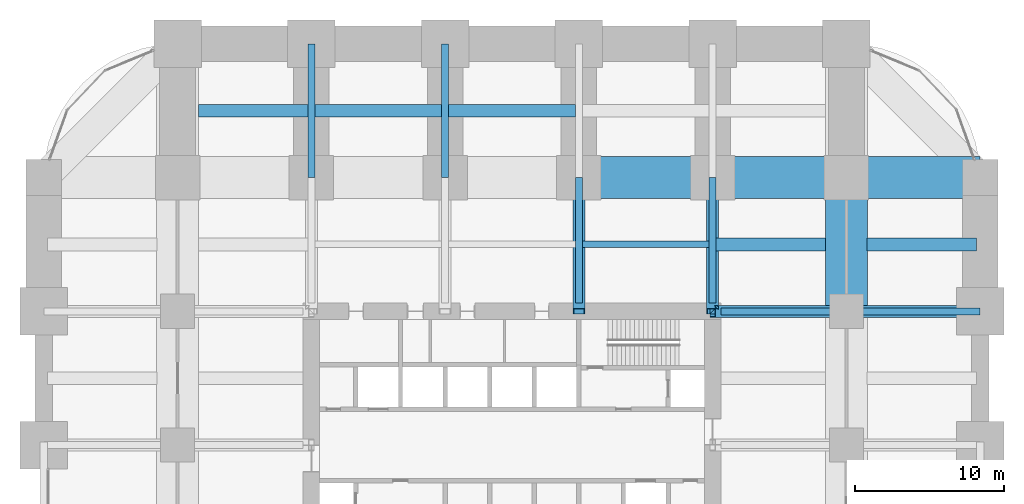
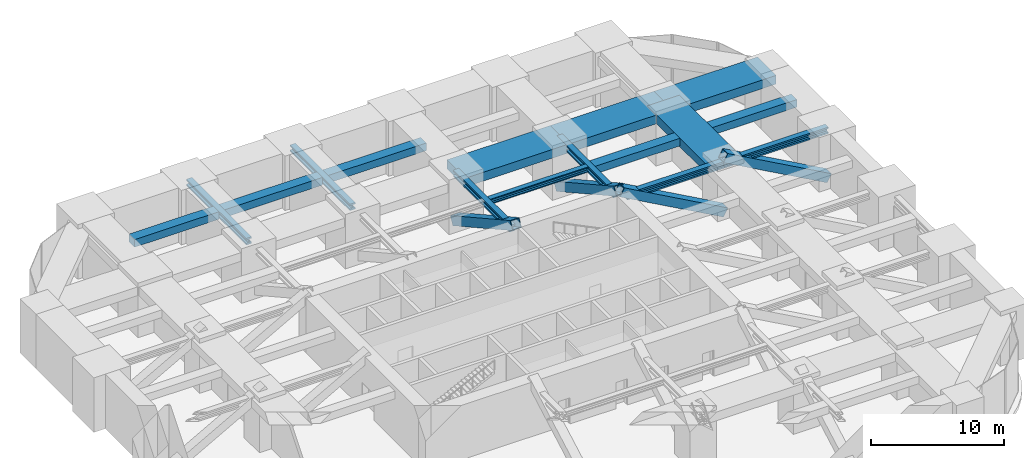
# One storey, part 26 of 35: 16 beams, 4 members.
"""IFC4 building model written with IfcOpenShell, lengths in metres."""

from ifc_helpers import new_model, si_unit, direction, frame, origin, origin_2d, place, context, subcontext, project, spatial, rectangle, hollow_rectangle, i_section, extrude, material, material_profile, profile_set, type_object, element, save


model = new_model("IFC4")

# Units and contexts
model_context = context("Model", 3, precision=1e-05, world=origin(), true_north=direction((0.0, 1.0)))
body_context = subcontext(model_context, "Body", "Model", "MODEL_VIEW")
ifc_project = project(units=[si_unit("LENGTHUNIT", "METRE"), si_unit("AREAUNIT", "SQUARE_METRE"), si_unit("VOLUMEUNIT", "CUBIC_METRE"), si_unit("PLANEANGLEUNIT", "RADIAN"), si_unit("MASSUNIT", "GRAM", prefix="KILO")], contexts=[model_context])

# Site, building, storey
site_placement = place(None, origin())
site = spatial("IfcSite", under=ifc_project, at=site_placement, CompositionType="ELEMENT")
building_placement = place(site_placement, origin())
building = spatial("IfcBuilding", under=site, at=building_placement, Name="Zorevar Civic Tower", CompositionType="ELEMENT")
storey_placement = place(building_placement, frame((0.0, 0.0, 80.0)))
storey = spatial("IfcBuildingStorey", under=building, at=storey_placement, Name="L19", CompositionType="ELEMENT", Elevation=80.0)

# Beams
ifc_material_1 = material(Name="Concrete C50/60", Category="concrete")
ifc_material_profile_1 = material_profile(ifc_material_1, rectangle(XDim=2.800048828125, YDim=0.800048828125, at=origin_2d()), Name="RC 2800x800")
ifc_profile_set_1 = profile_set([ifc_material_profile_1], Name="Concrete C50/60")
beam_type_1 = type_object("IfcBeamType", Name="Beam RC 2800x800", PredefinedType="BEAM", material=ifc_profile_set_1)
for number, where, z_axis, x_axis, name in (
    (1, (36.0, 45.0, 4.199951171875), (1.0, 0.0, 0.0), (0.0, 1.0, 0.0), "Girder L20"),
    (2, (45.0, 45.0, 4.199951171875), (1.0, 0.0, 0.0), (0.0, 1.0, 0.0), "Girder L20"),
    (3, (54.0, 45.0, 4.199951171875), (1.0, 0.0, 0.0), (0.0, 1.0, 0.0), "Girder L20"),
    (4, (54.0, 36.0, 4.199951171875), (0.0, 1.0, 0.0), (-1.0, 0.0, 0.0), "Girder L20"),
):
    element("IfcBeam", number, at=place(storey_placement, frame(where, z_axis=z_axis, x_axis=x_axis)), inside=storey, type_object=beam_type_1, Name=name, PredefinedType="BEAM", context=body_context, shape_type="SweptSolid", body=[
        extrude(rectangle(XDim=2.800048828125, YDim=0.800048828125, at=origin_2d()), origin(), (0.0, 0.0, 1.0), 9.0),
    ])
ifc_material_2 = material(Name="Concrete C50/60", Category="concrete")
ifc_material_profile_2 = material_profile(ifc_material_2, rectangle(XDim=0.85009765625, YDim=0.699951171875, at=origin_2d()), Name="RC 850x700")
ifc_profile_set_2 = profile_set([ifc_material_profile_2], Name="Concrete C50/60")
beam_type_2 = type_object("IfcBeamType", Name="Beam RC 850x700", PredefinedType="BEAM", material=ifc_profile_set_2)
for number, where, z_axis, x_axis, name in (
    (5, (45.238037109375, 40.5, 4.25), (1.0, 0.0, 0.0), (0.0, 1.0, 0.0), "Secondary beam L20"),
    (6, (55.39990234375, 40.5, 4.25), (1.0, 0.0, 0.0), (0.0, 1.0, 0.0), "Secondary beam L20"),
    (7, (10.39990234375, 49.5, 4.25), (1.0, 0.0, 0.0), (0.0, 1.0, 0.0), "Secondary beam L20"),
):
    element("IfcBeam", number, at=place(storey_placement, frame(where, z_axis=z_axis, x_axis=x_axis)), inside=storey, type_object=beam_type_2, Name=name, PredefinedType="BEAM", context=body_context, shape_type="SweptSolid", body=[
        extrude(rectangle(XDim=0.85009765625, YDim=0.699951171875, at=origin_2d()), origin(), (0.0, 0.0, 1.0), 7.362060546875),
    ])
for number, where, z_axis, x_axis, name in (
    (8, (18.238037109375, 49.5, 4.25), (1.0, 0.0, 0.0), (0.0, 1.0, 0.0), "Secondary beam L20"),
    (9, (27.238037109375, 49.5, 4.25), (1.0, 0.0, 0.0), (0.0, 1.0, 0.0), "Secondary beam L20"),
):
    element("IfcBeam", number, at=place(storey_placement, frame(where, z_axis=z_axis, x_axis=x_axis)), inside=storey, type_object=beam_type_2, Name=name, PredefinedType="BEAM", context=body_context, shape_type="SweptSolid", body=[
        extrude(rectangle(XDim=0.85009765625, YDim=0.699951171875, at=origin_2d()), origin(), (0.0, 0.0, 1.0), 8.52392578125),
    ])
ifc_material_3 = material(Name="Steel S460M (HISTAR 460)", Category="steel")
ifc_material_profile_3 = material_profile(ifc_material_3, i_section(OverallWidth=0.431884765625, OverallDepth=0.498046875, WebThickness=0.0556640625, FlangeThickness=0.0888671875, FilletRadius=0.014892578125, at=origin_2d()), Name="HD 400x744")
ifc_profile_set_3 = profile_set([ifc_material_profile_3], Name="Steel S460M (HISTAR 460)")
beam_type_3 = type_object("IfcBeamType", Name="Core bay beam HD 400x744", PredefinedType="BEAM", material=ifc_profile_set_3)
beam_1_placement = place(storey_placement, frame((36.238037109375, 40.5, 4.35107421875), z_axis=(1.0, 0.0, 0.0), x_axis=(0.0, 1.0, 0.0)))
element("IfcBeam", 10, at=beam_1_placement, inside=storey, type_object=beam_type_3, Name="Secondary beam L20", PredefinedType="BEAM", context=body_context, shape_type="SweptSolid", body=[
    extrude(i_section(OverallWidth=0.431884765625, OverallDepth=0.498046875, WebThickness=0.0556640625, FlangeThickness=0.0888671875, FilletRadius=0.014892578125, at=origin_2d()), origin(), (0.0, 0.0, 1.0), 8.52392578125),
])
ifc_material_4 = material(Name="Steel S460M (HISTAR 460)", Category="steel")
ifc_material_profile_4 = material_profile(ifc_material_4, i_section(OverallWidth=0.47607421875, OverallDepth=0.60009765625, WebThickness=0.10009765625, FlangeThickness=0.139892578125, FilletRadius=0.014892578125, at=origin_2d()), Name="HD 400x1299")
ifc_profile_set_4 = profile_set([ifc_material_profile_4], Name="Steel S460M (HISTAR 460)")
beam_type_4 = type_object("IfcBeamType", Name="Outrigger chord HD 400x1299", PredefinedType="BEAM", material=ifc_profile_set_4)
beam_2_placement = place(storey_placement, frame((45.550048828125, 36.0, 4.300048828125), z_axis=(1.0, 0.0, 0.0), x_axis=(0.0, 1.0, 0.0)))
element("IfcBeam", 11, at=beam_2_placement, inside=storey, type_object=beam_type_4, Name="Outrigger chord L20", PredefinedType="BEAM", context=body_context, shape_type="SweptSolid", body=[
    extrude(i_section(OverallWidth=0.47607421875, OverallDepth=0.60009765625, WebThickness=0.10009765625, FlangeThickness=0.139892578125, FilletRadius=0.014892578125, at=origin_2d()), origin(), (0.0, 0.0, 1.0), 8.449951171875),
])
for number, where, z_axis, x_axis, name in (
    (12, (54.0, 36.0, 4.300048828125), (1.0, 0.0, 0.0), (0.0, 1.0, 0.0), "Outrigger chord L20"),
    (13, (18.0, 45.0, 4.300048828125), (0.0, 1.0, 0.0), (-1.0, 0.0, 0.0), "Outrigger chord L20"),
    (14, (27.0, 45.0, 4.300048828125), (0.0, 1.0, 0.0), (-1.0, 0.0, 0.0), "Outrigger chord L20"),
):
    element("IfcBeam", number, at=place(storey_placement, frame(where, z_axis=z_axis, x_axis=x_axis)), inside=storey, type_object=beam_type_4, Name=name, PredefinedType="BEAM", context=body_context, shape_type="SweptSolid", body=[
        extrude(i_section(OverallWidth=0.47607421875, OverallDepth=0.60009765625, WebThickness=0.10009765625, FlangeThickness=0.139892578125, FilletRadius=0.014892578125, at=origin_2d()), origin(), (0.0, 0.0, 1.0), 9.0),
    ])
for number, where, z_axis, x_axis, name in (
    (15, (36.0, 36.550048828125, 4.300048828125), (0.0, 1.0, 0.0), (-1.0, 0.0, 0.0), "Outrigger chord L20"),
    (16, (45.0, 36.550048828125, 4.300048828125), (0.0, 1.0, 0.0), (-1.0, 0.0, 0.0), "Outrigger chord L20"),
):
    element("IfcBeam", number, at=place(storey_placement, frame(where, z_axis=z_axis, x_axis=x_axis)), inside=storey, type_object=beam_type_4, Name=name, PredefinedType="BEAM", context=body_context, shape_type="SweptSolid", body=[
        extrude(i_section(OverallWidth=0.47607421875, OverallDepth=0.60009765625, WebThickness=0.10009765625, FlangeThickness=0.139892578125, FilletRadius=0.014892578125, at=origin_2d()), origin(), (0.0, 0.0, 1.0), 8.449951171875),
    ])

# Members
ifc_material_5 = material(Name="Steel S460M (HISTAR 460)", Category="steel")
ifc_material_profile_5 = material_profile(ifc_material_5, hollow_rectangle(XDim=0.800048828125, YDim=0.800048828125, WallThickness=0.06005859375, at=origin_2d()), Name="BOX 800x800x60")
ifc_profile_set_5 = profile_set([ifc_material_profile_5], Name="Steel S460M (HISTAR 460)")
member_type = type_object("IfcMemberType", Name="Outrigger diagonal BOX 800x800x60", PredefinedType="BRACE", material=ifc_profile_set_5)
for number, where, z_axis, x_axis, name in (
    (17, (36.0, 36.0, 5.0), (0.0, 0.874157276122, -0.485642931179), (-1.0, 0.0, 0.0), "Outrigger diagonal N L19"),
    (18, (45.0, 36.0, 5.0), (0.0, 0.874157276122, -0.485642931179), (-1.0, 0.0, 0.0), "Outrigger diagonal N L19"),
    (19, (45.0, 36.0, 5.0), (0.874157276122, 0.0, -0.485642931179), (0.0, 1.0, 0.0), "Outrigger diagonal E L19"),
    (20, (54.0, 36.0, 5.0), (0.874157276122, 0.0, -0.485642931179), (0.0, 1.0, 0.0), "Outrigger diagonal E L19"),
):
    element("IfcMember", number, at=place(storey_placement, frame(where, z_axis=z_axis, x_axis=x_axis)), inside=storey, type_object=member_type, Name=name, PredefinedType="BRACE", context=body_context, shape_type="SweptSolid", body=[
        extrude(hollow_rectangle(XDim=0.800048828125, YDim=0.800048828125, WallThickness=0.06005859375, at=origin_2d()), origin(), (0.0, 0.0, 1.0), 10.295654296875),
    ])

save(model, "model.ifc")
